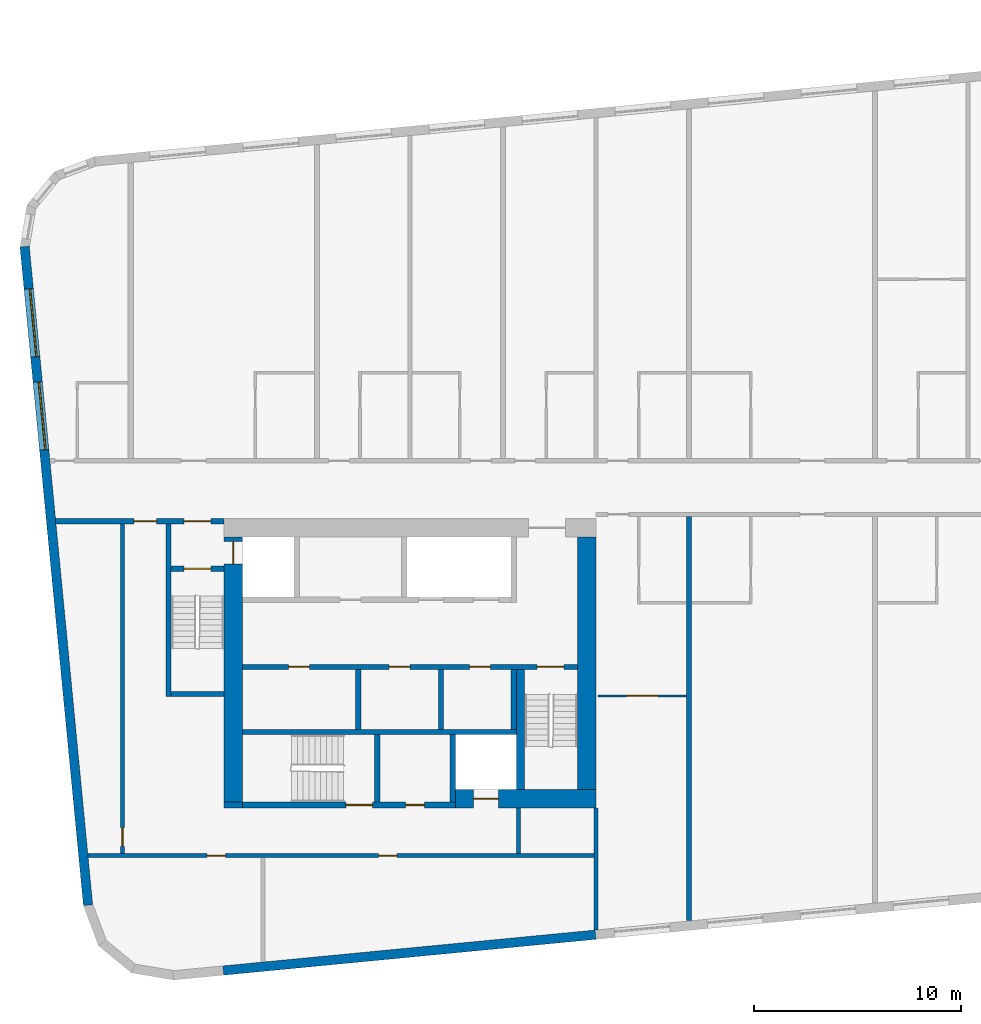
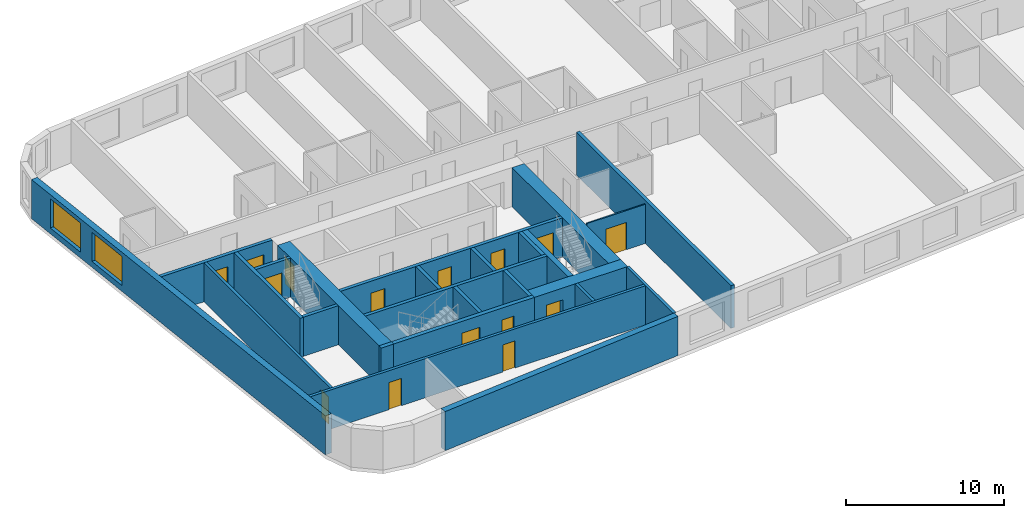
# One storey, part 2 of 11: 25 walls, 15 doors, 2 windows, 17 openings.
"""IFC4 building model written with IfcOpenShell, lengths in metres."""

from ifc_helpers import new_model, si_unit, direction, frame, frame_2d, origin, place, context, subcontext, project, spatial, rectangle, extrude, material, layer, layer_set, type_object, element, fill, save


model = new_model("IFC4")

# Units and contexts
model_context = context("Model", 3, precision=1e-05, world=origin(), true_north=direction((0.0, 1.0)))
body_context = subcontext(model_context, "Body", "Model", "MODEL_VIEW")
ifc_project = project(units=[si_unit("LENGTHUNIT", "METRE"), si_unit("AREAUNIT", "SQUARE_METRE"), si_unit("VOLUMEUNIT", "CUBIC_METRE"), si_unit("PLANEANGLEUNIT", "RADIAN"), si_unit("MASSUNIT", "GRAM", prefix="KILO")], contexts=[model_context])

# Site, building, storey
site_placement = place(None, origin())
site = spatial("IfcSite", under=ifc_project, at=site_placement, CompositionType="ELEMENT")
building_placement = place(site_placement, origin())
building = spatial("IfcBuilding", under=site, at=building_placement, Name="Kajstack Hotel Tower", CompositionType="ELEMENT")
storey_placement = place(building_placement, frame((0.0, 0.0, 291.60009765625)))
storey = spatial("IfcBuildingStorey", under=building, at=storey_placement, Name="L73", CompositionType="ELEMENT", Elevation=291.60009765625)

# Wall, opening, door
ifc_material_1 = material(Name="Concrete C60/75", Category="concrete")
ifc_layer_1 = layer(ifc_material_1, 0.89990234375)
ifc_layer_set_1 = layer_set([ifc_layer_1], Name="Core wall 900")
wall_type_1 = type_object("IfcWallType", Name="Core wall 900", PredefinedType="SHEAR", material=ifc_layer_set_1)
wall_1_placement = place(storey_placement, frame((-20.300048828125, -15.050048828125, 0.0), z_axis=(0.0, 0.0, 1.0), x_axis=(1.0, 0.0, 0.0)))
wall_1 = element("IfcWall", 1, at=wall_1_placement, inside=storey, type_object=wall_type_1, Name="Core wall W RS", PredefinedType="SHEAR", context=body_context, shape_type="SweptSolid", body=[
    extrude(rectangle(XDim=6.800048828125, YDim=0.89990234375, at=frame_2d((3.39990234375, 0.0))), origin(), (0.0, 0.0, 1.0), 3.02001953125),
])
opening_1_placement = place(wall_1_placement, frame((0.875, 0.0, 0.0)))
opening_1 = element("IfcOpeningElement", 2, at=opening_1_placement, cuts=wall_1, Name="Opening LD-SV1", PredefinedType="OPENING", context=body_context, shape_type="SweptSolid", body=[
    extrude(rectangle(XDim=1.199951171875, YDim=2.10009765625, at=frame_2d((0.60009765625, 1.050048828125))), frame((0.0, 0.4599609375, 0.0), z_axis=(0.0, -1.0, 0.0), x_axis=(1.0, 0.0, 0.0)), (0.0, 0.0, 1.0), 0.919921875),
])
ifc_material_2 = material(Name="Stainless steel", Category="steel")
door_type_1 = type_object("IfcDoorType", Name="Lift landing door 1200", OperationType="SLIDING_TO_LEFT", PredefinedType="DOOR", material=ifc_material_2)
door_1_placement = place(opening_1_placement, origin())
door_1 = element("IfcDoor", 3, at=door_1_placement, inside=storey, type_object=door_type_1, Name="Landing door SV1", OperationType="SLIDING_TO_LEFT", OverallHeight=2.10009765625, OverallWidth=1.199951171875, PredefinedType="DOOR", context=body_context, shape_type="SweptSolid", body=[
    extrude(rectangle(XDim=1.199951171875, YDim=2.10009765625, at=frame_2d((0.60009765625, 1.050048828125))), frame((0.0, 0.02490234375, 0.0), z_axis=(0.0, -1.0, 0.0), x_axis=(1.0, 0.0, 0.0)), (0.0, 0.0, 1.0), 0.050048828125),
])
fill(opening_1, door_1)

# Wall
wall_2_placement = place(storey_placement, frame((-31.5, -15.35009765625, 0.0), z_axis=(0.0, 0.0, 1.0), x_axis=(1.0, 0.0, 0.0)))
element("IfcWall", 4, at=wall_2_placement, inside=storey, type_object=wall_type_1, Name="Core wall W RSW", PredefinedType="SHEAR", context=body_context, shape_type="SweptSolid", body=[
    extrude(rectangle(XDim=0.89990234375, YDim=0.300048828125, at=frame_2d((0.449951171875, 0.0))), origin(), (0.0, 0.0, 1.0), 3.02001953125),
])

# Wall, opening, door
wall_3_placement = place(storey_placement, frame((-31.050048828125, -15.199951171875, 0.0), z_axis=(0.0, 0.0, 1.0), x_axis=(0.0, 1.0, 0.0)))
wall_3 = element("IfcWall", 5, at=wall_3_placement, inside=storey, type_object=wall_type_1, Name="Core wall W RW", PredefinedType="SHEAR", context=body_context, shape_type="SweptSolid", body=[
    extrude(rectangle(XDim=12.800048828125, YDim=0.89990234375, at=frame_2d((6.39990234375, 0.0))), origin(), (0.0, 0.0, 1.0), 3.02001953125),
])
opening_2_placement = place(wall_3_placement, frame((11.5, 0.0, 0.0)))
opening_2 = element("IfcOpeningElement", 6, at=opening_2_placement, cuts=wall_3, Name="Opening LD-FF1", PredefinedType="OPENING", context=body_context, shape_type="SweptSolid", body=[
    extrude(rectangle(XDim=1.10009765625, YDim=2.10009765625, at=frame_2d((0.550048828125, 1.050048828125))), frame((0.0, 0.4599609375, 0.0), z_axis=(0.0, -1.0, 0.0), x_axis=(1.0, 0.0, 0.0)), (0.0, 0.0, 1.0), 0.919921875),
])
door_type_2 = type_object("IfcDoorType", Name="Fire-fighting lift landing door 1100", OperationType="SLIDING_TO_LEFT", PredefinedType="DOOR", material=ifc_material_2)
door_2_placement = place(opening_2_placement, origin())
door_2 = element("IfcDoor", 7, at=door_2_placement, inside=storey, type_object=door_type_2, Name="Landing door FF1", OperationType="SLIDING_TO_RIGHT", OverallHeight=2.10009765625, OverallWidth=1.10009765625, PredefinedType="DOOR", context=body_context, shape_type="SweptSolid", body=[
    extrude(rectangle(XDim=1.10009765625, YDim=2.10009765625, at=frame_2d((0.550048828125, 1.050048828125))), frame((0.0, 0.02490234375, 0.0), z_axis=(0.0, -1.0, 0.0), x_axis=(1.0, 0.0, 0.0)), (0.0, 0.0, 1.0), 0.050048828125),
])
fill(opening_2, door_2)

# Walls
wall_4_placement = place(storey_placement, frame((-13.949951171875, -14.60009765625, 0.0), z_axis=(0.0, 0.0, 1.0), x_axis=(0.0, 1.0, 0.0)))
element("IfcWall", 8, at=wall_4_placement, inside=storey, type_object=wall_type_1, Name="Core wall W RE", PredefinedType="SHEAR", context=body_context, shape_type="SweptSolid", body=[
    extrude(rectangle(XDim=12.2001953125, YDim=0.89990234375, at=frame_2d((6.10009765625, 0.0))), origin(), (0.0, 0.0, 1.0), 3.02001953125),
])
ifc_material_3 = material(Name="Twin-frame gypsum board on steel studs, mineral wool", Category="steel")
ifc_layer_2 = layer(ifc_material_3, 0.199951171875)
ifc_layer_set_2 = layer_set([ifc_layer_2], Name="Demising wall 200")
wall_type_2 = type_object("IfcWallType", Name="Demising wall 200", PredefinedType="PARTITIONING", material=ifc_layer_set_2)
wall_5_placement = place(storey_placement, frame((-13.5, -21.39599609375, 0.0), z_axis=(0.0, 0.0, 1.0), x_axis=(0.0, 1.0, 0.0)))
element("IfcWall", 9, at=wall_5_placement, inside=storey, type_object=wall_type_2, Name="G-wall-L73-002", PredefinedType="PARTITIONING", context=body_context, shape_type="SweptSolid", body=[
    extrude(rectangle(XDim=5.89599609375, YDim=0.199951171875, at=frame_2d((2.947998046875, 0.0))), origin(), (0.0, 0.0, 1.0), 3.02001953125),
])
ifc_material_4 = material(Name="Concrete C40/50", Category="concrete")
ifc_layer_3 = layer(ifc_material_4, 0.449951171875)
ifc_layer_set_3 = layer_set([ifc_layer_3], Name="EW-CORE")
wall_type_3 = type_object("IfcWallType", Name="EW-CORE", PredefinedType="SOLIDWALL", material=ifc_layer_set_3)
wall_6_placement = place(storey_placement, frame((-31.521484375, -23.357177734375, 0.0), z_axis=(0.0, 0.0, 1.0), x_axis=(0.995396454615, 0.095843091245, 0.0)))
element("IfcWall", 10, at=wall_6_placement, inside=storey, type_object=wall_type_3, Name="E-wall-L73-04-01", PredefinedType="SOLIDWALL", context=body_context, shape_type="SweptSolid", body=[
    extrude(rectangle(XDim=18.083251953125, YDim=0.449951171875, at=frame_2d((9.04150390625, 0.0))), origin(), (0.0, 0.0, 1.0), 3.02001953125),
])

# Wall, openings, windows
ifc_material_5 = material(Name="Terracotta-faced brick masonry", Category="masonry")
ifc_layer_4 = layer(ifc_material_5, 0.449951171875)
ifc_layer_set_4 = layer_set([ifc_layer_4], Name="EW-TERRA")
wall_type_4 = type_object("IfcWallType", Name="EW-TERRA", PredefinedType="SOLIDWALL", material=ifc_layer_set_4)
wall_7_placement = place(storey_placement, frame((-41.13232421875, 11.657958984375, 0.0), z_axis=(0.0, 0.0, 1.0), x_axis=(0.095847749461, -0.995396006082, 0.0)))
wall_7 = element("IfcWall", 11, at=wall_7_placement, inside=storey, type_object=wall_type_4, Name="E-wall-L73-00-00", PredefinedType="SOLIDWALL", context=body_context, shape_type="SweptSolid", body=[
    extrude(rectangle(XDim=32.0, YDim=0.449951171875, at=frame_2d((16.0, 0.0))), origin(), (0.0, 0.0, 1.0), 3.02001953125),
])
opening_3_placement = place(wall_7_placement, frame((2.053466796875, 0.0, 0.449951171875)))
opening_3 = element("IfcOpeningElement", 12, at=opening_3_placement, cuts=wall_7, Name="Opening W2", PredefinedType="OPENING", context=body_context, shape_type="SweptSolid", body=[
    extrude(rectangle(XDim=3.300048828125, YDim=2.25, at=frame_2d((1.64990234375, 1.125))), frame((0.0, 0.23486328125, 0.0), z_axis=(0.0, -1.0, 0.0), x_axis=(1.0, 0.0, 0.0)), (0.0, 0.0, 1.0), 0.469970703125),
])
opening_4_placement = place(wall_7_placement, frame((6.57421875, 0.0, 0.449951171875)))
opening_4 = element("IfcOpeningElement", 13, at=opening_4_placement, cuts=wall_7, Name="Opening W2", PredefinedType="OPENING", context=body_context, shape_type="SweptSolid", body=[
    extrude(rectangle(XDim=3.300048828125, YDim=2.25, at=frame_2d((1.64990234375, 1.125))), frame((0.0, 0.23486328125, 0.0), z_axis=(0.0, -1.0, 0.0), x_axis=(1.0, 0.0, 0.0)), (0.0, 0.0, 1.0), 0.469970703125),
])
ifc_material_6 = material(Name="Timber-aluminium window, triple glazed", Category="wood")
window_type = type_object("IfcWindowType", Name="WG2", PartitioningType="SINGLE_PANEL", PredefinedType="WINDOW", material=ifc_material_6)
window_1_placement = place(opening_3_placement, origin())
window_1 = element("IfcWindow", 14, at=window_1_placement, inside=storey, type_object=window_type, Name="Window W2 L73-00", OverallHeight=2.25, OverallWidth=3.300048828125, PartitioningType="SINGLE_PANEL", PredefinedType="WINDOW", context=body_context, shape_type="SweptSolid", body=[
    extrude(rectangle(XDim=3.300048828125, YDim=2.25, at=frame_2d((1.64990234375, 1.125))), frame((0.0, 0.090087890625, 0.0), z_axis=(0.0, -1.0, 0.0), x_axis=(1.0, 0.0, 0.0)), (0.0, 0.0, 1.0), 0.06005859375),
])
fill(opening_3, window_1)
window_2_placement = place(opening_4_placement, origin())
window_2 = element("IfcWindow", 15, at=window_2_placement, inside=storey, type_object=window_type, Name="Window W2 L73-00", OverallHeight=2.25, OverallWidth=3.300048828125, PartitioningType="SINGLE_PANEL", PredefinedType="WINDOW", context=body_context, shape_type="SweptSolid", body=[
    extrude(rectangle(XDim=3.300048828125, YDim=2.25, at=frame_2d((1.64990234375, 1.125))), frame((0.0, 0.090087890625, 0.0), z_axis=(0.0, -1.0, 0.0), x_axis=(1.0, 0.0, 0.0)), (0.0, 0.0, 1.0), 0.06005859375),
])
fill(opening_4, window_2)

# Wall, opening, door
ifc_material_7 = material(Name="Gypsum board on steel studs", Category="steel")
ifc_layer_5 = layer(ifc_material_7, 0.10009765625)
ifc_layer_set_5 = layer_set([ifc_layer_5], Name="Partition 100")
wall_type_5 = type_object("IfcWallType", Name="Partition 100", PredefinedType="PARTITIONING", material=ifc_layer_set_5)
wall_8_placement = place(storey_placement, frame((-13.39990234375, -10.074951171875, 0.0), z_axis=(0.0, 0.0, 1.0), x_axis=(1.0, 0.0, 0.0)))
wall_8 = element("IfcWall", 16, at=wall_8_placement, inside=storey, type_object=wall_type_5, Name="G-wall-L73-031", PredefinedType="PARTITIONING", context=body_context, shape_type="SweptSolid", body=[
    extrude(rectangle(XDim=4.27490234375, YDim=0.10009765625, at=frame_2d((2.137451171875, 0.0))), origin(), (0.0, 0.0, 1.0), 3.02001953125),
])
opening_5_placement = place(wall_8_placement, frame((1.387939453125, 0.0, 0.0)))
opening_5 = element("IfcOpeningElement", 17, at=opening_5_placement, cuts=wall_8, Name="Opening 73024", PredefinedType="OPENING", context=body_context, shape_type="SweptSolid", body=[
    extrude(rectangle(XDim=1.5, YDim=2.10009765625, at=frame_2d((0.75, 1.050048828125))), frame((0.0, 0.06005859375, 0.0), z_axis=(0.0, -1.0, 0.0), x_axis=(1.0, 0.0, 0.0)), (0.0, 0.0, 1.0), 0.1201171875),
])
ifc_material_8 = material(Name="Painted timber door leaves, glazed panels", Category="wood")
door_type_3 = type_object("IfcDoorType", Name="Double door 1500", OperationType="SINGLE_SWING_LEFT", PredefinedType="DOOR", material=ifc_material_8)
door_3_placement = place(opening_5_placement, origin())
door_3 = element("IfcDoor", 18, at=door_3_placement, inside=storey, type_object=door_type_3, Name="G-door-L73-24", OperationType="SINGLE_SWING_RIGHT", OverallHeight=2.10009765625, OverallWidth=1.5, PredefinedType="DOOR", context=body_context, shape_type="SweptSolid", body=[
    extrude(rectangle(XDim=1.5, YDim=2.10009765625, at=frame_2d((0.75, 1.050048828125))), frame((0.0, 0.02490234375, 0.0), z_axis=(0.0, -1.0, 0.0), x_axis=(1.0, 0.0, 0.0)), (0.0, 0.0, 1.0), 0.050048828125),
])
fill(opening_5, door_3)

# Walls
ifc_layer_6 = layer(ifc_material_4, 0.25)
ifc_layer_set_6 = layer_set([ifc_layer_6], Name="RC cross wall 250 C40/50")
wall_type_6 = type_object("IfcWallType", Name="RC cross wall 250 C40/50", PredefinedType="SHEAR", material=ifc_layer_set_6)
wall_9_placement = place(storey_placement, frame((-9.0, -20.9404296875, 0.0), z_axis=(0.0, 0.0, 1.0), x_axis=(0.0, 1.0, 0.0)))
element("IfcWall", 19, at=wall_9_placement, inside=storey, type_object=wall_type_6, Name="S-wall-L73-04", PredefinedType="SHEAR", context=body_context, shape_type="SweptSolid", body=[
    extrude(rectangle(XDim=19.54052734375, YDim=0.25, at=frame_2d((9.770263671875, 0.0))), origin(), (0.0, 0.0, 1.0), 3.2998046875),
])
ifc_material_9 = material(Name="Concrete block masonry", Category="masonry")
ifc_layer_7 = layer(ifc_material_9, 0.25)
ifc_layer_set_7 = layer_set([ifc_layer_7], Name="Riser partition 250")
wall_type_7 = type_object("IfcWallType", Name="Riser partition 250", PredefinedType="PARTITIONING", material=ifc_layer_set_7)
for number, where, z_axis, x_axis, name in (
    (20, (-25.0, -11.699951171875, 0.0), (0.0, 0.0, 1.0), (0.0, 1.0, 0.0), "Partition W BF0"),
    (21, (-21.0, -11.699951171875, 0.0), (0.0, 0.0, 1.0), (0.0, 1.0, 0.0), "Partition W BF1"),
):
    element("IfcWall", number, at=place(storey_placement, frame(where, z_axis=z_axis, x_axis=x_axis)), inside=storey, type_object=wall_type_7, Name=name, PredefinedType="PARTITIONING", context=body_context, shape_type="SweptSolid", body=[
        extrude(rectangle(XDim=2.89990234375, YDim=0.25, at=frame_2d((1.449951171875, 0.0))), origin(), (0.0, 0.0, 1.0), 3.02001953125),
    ])

# Wall, openings, doors
ifc_material_10 = material(Name="Gypsum board on steel studs, mineral wool", Category="steel")
ifc_layer_8 = layer(ifc_material_10, 0.199951171875)
ifc_layer_set_8 = layer_set([ifc_layer_8], Name="Service partition 200")
wall_type_8 = type_object("IfcWallType", Name="Service partition 200", PredefinedType="PARTITIONING", material=ifc_layer_set_8)
wall_10_placement = place(storey_placement, frame((-39.627197265625, -1.625, 0.0), z_axis=(0.0, 0.0, 1.0), x_axis=(1.0, 0.0, 0.0)))
wall_10 = element("IfcWall", 22, at=wall_10_placement, inside=storey, type_object=wall_type_8, Name="Partition W SN", PredefinedType="PARTITIONING", context=body_context, shape_type="SweptSolid", body=[
    extrude(rectangle(XDim=8.127197265625, YDim=0.25, at=frame_2d((4.0634765625, 0.0))), origin(), (0.0, 0.0, 1.0), 3.02001953125),
])
opening_6_placement = place(wall_10_placement, frame((6.202392578125, 0.0, 0.0)))
opening_6 = element("IfcOpeningElement", 23, at=opening_6_placement, cuts=wall_10, Name="Opening 73W06", PredefinedType="OPENING", context=body_context, shape_type="SweptSolid", body=[
    extrude(rectangle(XDim=1.300048828125, YDim=2.10009765625, at=frame_2d((0.64990234375, 1.050048828125))), frame((0.0, 0.135009765625, 0.0), z_axis=(0.0, -1.0, 0.0), x_axis=(1.0, 0.0, 0.0)), (0.0, 0.0, 1.0), 0.27001953125),
])
opening_7_placement = place(wall_10_placement, frame((3.77734375, 0.0, 0.0)))
opening_7 = element("IfcOpeningElement", 24, at=opening_7_placement, cuts=wall_10, Name="Opening 73W08", PredefinedType="OPENING", context=body_context, shape_type="SweptSolid", body=[
    extrude(rectangle(XDim=1.10009765625, YDim=2.10009765625, at=frame_2d((0.550048828125, 1.050048828125))), frame((0.0, 0.135009765625, 0.0), z_axis=(0.0, -1.0, 0.0), x_axis=(1.0, 0.0, 0.0)), (0.0, 0.0, 1.0), 0.27001953125),
])
ifc_material_11 = material(Name="Steel leaf, fire-rated", Category="steel")
door_type_4 = type_object("IfcDoorType", Name="Fire lobby door 1300", OperationType="SINGLE_SWING_LEFT", PredefinedType="DOOR", material=ifc_material_11)
door_4_placement = place(opening_6_placement, origin())
door_4 = element("IfcDoor", 25, at=door_4_placement, inside=storey, type_object=door_type_4, Name="Door 73W06", OperationType="SINGLE_SWING_RIGHT", OverallHeight=2.10009765625, OverallWidth=1.300048828125, PredefinedType="DOOR", context=body_context, shape_type="SweptSolid", body=[
    extrude(rectangle(XDim=1.300048828125, YDim=2.10009765625, at=frame_2d((0.64990234375, 1.050048828125))), frame((0.0, 0.02490234375, 0.0), z_axis=(0.0, -1.0, 0.0), x_axis=(1.0, 0.0, 0.0)), (0.0, 0.0, 1.0), 0.050048828125),
])
fill(opening_6, door_4)
ifc_material_12 = material(Name="Timber leaf, fire-rated", Category="wood")
door_type_5 = type_object("IfcDoorType", Name="Service corridor door 1100", OperationType="SINGLE_SWING_LEFT", PredefinedType="DOOR", material=ifc_material_12)
door_5_placement = place(opening_7_placement, origin())
door_5 = element("IfcDoor", 26, at=door_5_placement, inside=storey, type_object=door_type_5, Name="Door 73W08", OperationType="SINGLE_SWING_RIGHT", OverallHeight=2.10009765625, OverallWidth=1.10009765625, PredefinedType="DOOR", context=body_context, shape_type="SweptSolid", body=[
    extrude(rectangle(XDim=1.10009765625, YDim=2.10009765625, at=frame_2d((0.550048828125, 1.050048828125))), frame((0.0, 0.02490234375, 0.0), z_axis=(0.0, -1.0, 0.0), x_axis=(1.0, 0.0, 0.0)), (0.0, 0.0, 1.0), 0.050048828125),
])
fill(opening_7, door_5)

# Wall
wall_11_placement = place(storey_placement, frame((-17.25, -17.699951171875, 0.0), z_axis=(0.0, 0.0, 1.0), x_axis=(0.0, 1.0, 0.0)))
element("IfcWall", 27, at=wall_11_placement, inside=storey, type_object=wall_type_8, Name="Partition W SCE", PredefinedType="PARTITIONING", context=body_context, shape_type="SweptSolid", body=[
    extrude(rectangle(XDim=2.199951171875, YDim=0.199951171875, at=frame_2d((1.10009765625, 0.0))), origin(), (0.0, 0.0, 1.0), 3.02001953125),
])

# Wall, opening, door
wall_12_placement = place(storey_placement, frame((-36.39990234375, -17.699951171875, 0.0), z_axis=(0.0, 0.0, 1.0), x_axis=(0.0, 1.0, 0.0)))
wall_12 = element("IfcWall", 28, at=wall_12_placement, inside=storey, type_object=wall_type_8, Name="Partition W WRE", PredefinedType="PARTITIONING", context=body_context, shape_type="SweptSolid", body=[
    extrude(rectangle(XDim=15.949951171875, YDim=0.199951171875, at=frame_2d((7.97509765625, 0.0))), origin(), (0.0, 0.0, 1.0), 3.02001953125),
])
opening_8_placement = place(wall_12_placement, frame((0.35009765625, 0.0, 0.0)))
opening_8 = element("IfcOpeningElement", 29, at=opening_8_placement, cuts=wall_12, Name="Opening 73W18", PredefinedType="OPENING", context=body_context, shape_type="SweptSolid", body=[
    extrude(rectangle(XDim=0.89990234375, YDim=2.10009765625, at=frame_2d((0.449951171875, 1.050048828125))), frame((0.0, 0.10986328125, 0.0), z_axis=(0.0, -1.0, 0.0), x_axis=(1.0, 0.0, 0.0)), (0.0, 0.0, 1.0), 0.219970703125),
])
door_type_6 = type_object("IfcDoorType", Name="Service door 900", OperationType="SINGLE_SWING_LEFT", PredefinedType="DOOR", material=ifc_material_12)
door_6_placement = place(opening_8_placement, origin())
door_6 = element("IfcDoor", 30, at=door_6_placement, inside=storey, type_object=door_type_6, Name="Door 73W18", OperationType="SINGLE_SWING_LEFT", OverallHeight=2.10009765625, OverallWidth=0.89990234375, PredefinedType="DOOR", context=body_context, shape_type="SweptSolid", body=[
    extrude(rectangle(XDim=0.89990234375, YDim=2.10009765625, at=frame_2d((0.449951171875, 1.050048828125))), frame((0.0, 0.02490234375, 0.0), z_axis=(0.0, -1.0, 0.0), x_axis=(1.0, 0.0, 0.0)), (0.0, 0.0, 1.0), 0.050048828125),
])
fill(opening_8, door_6)

# Wall, openings, doors
wall_13_placement = place(storey_placement, frame((-38.06982421875, -17.800048828125, 0.0), z_axis=(0.0, 0.0, 1.0), x_axis=(1.0, 0.0, 0.0)))
wall_13 = element("IfcWall", 31, at=wall_13_placement, inside=storey, type_object=wall_type_8, Name="Partition W SLN", PredefinedType="PARTITIONING", context=body_context, shape_type="SweptSolid", body=[
    extrude(rectangle(XDim=24.4697265625, YDim=0.199951171875, at=frame_2d((12.23486328125, 0.0))), origin(), (0.0, 0.0, 1.0), 3.02001953125),
])
opening_9_placement = place(wall_13_placement, frame((5.75732421875, 0.0, 0.0)))
opening_9 = element("IfcOpeningElement", 32, at=opening_9_placement, cuts=wall_13, Name="Opening 73W16", PredefinedType="OPENING", context=body_context, shape_type="SweptSolid", body=[
    extrude(rectangle(XDim=0.89990234375, YDim=2.10009765625, at=frame_2d((0.449951171875, 1.050048828125))), frame((0.0, 0.10986328125, 0.0), z_axis=(0.0, -1.0, 0.0), x_axis=(1.0, 0.0, 0.0)), (0.0, 0.0, 1.0), 0.219970703125),
])
opening_10_placement = place(wall_13_placement, frame((14.057373046875, 0.0, 0.0)))
opening_10 = element("IfcOpeningElement", 33, at=opening_10_placement, cuts=wall_13, Name="Opening 73W17", PredefinedType="OPENING", context=body_context, shape_type="SweptSolid", body=[
    extrude(rectangle(XDim=0.89990234375, YDim=2.10009765625, at=frame_2d((0.449951171875, 1.050048828125))), frame((0.0, 0.10986328125, 0.0), z_axis=(0.0, -1.0, 0.0), x_axis=(1.0, 0.0, 0.0)), (0.0, 0.0, 1.0), 0.219970703125),
])
door_7_placement = place(opening_9_placement, origin())
door_7 = element("IfcDoor", 34, at=door_7_placement, inside=storey, type_object=door_type_6, Name="Door 73W16", OperationType="SINGLE_SWING_RIGHT", OverallHeight=2.10009765625, OverallWidth=0.89990234375, PredefinedType="DOOR", context=body_context, shape_type="SweptSolid", body=[
    extrude(rectangle(XDim=0.89990234375, YDim=2.10009765625, at=frame_2d((0.449951171875, 1.050048828125))), frame((0.0, 0.02490234375, 0.0), z_axis=(0.0, -1.0, 0.0), x_axis=(1.0, 0.0, 0.0)), (0.0, 0.0, 1.0), 0.050048828125),
])
fill(opening_9, door_7)
door_8_placement = place(opening_10_placement, origin())
door_8 = element("IfcDoor", 35, at=door_8_placement, inside=storey, type_object=door_type_6, Name="Door 73W17", OperationType="SINGLE_SWING_RIGHT", OverallHeight=2.10009765625, OverallWidth=0.89990234375, PredefinedType="DOOR", context=body_context, shape_type="SweptSolid", body=[
    extrude(rectangle(XDim=0.89990234375, YDim=2.10009765625, at=frame_2d((0.449951171875, 1.050048828125))), frame((0.0, 0.02490234375, 0.0), z_axis=(0.0, -1.0, 0.0), x_axis=(1.0, 0.0, 0.0)), (0.0, 0.0, 1.0), 0.050048828125),
])
fill(opening_10, door_8)

ifc_material_13 = material(Name="Concrete C50/60", Category="concrete")
ifc_layer_9 = layer(ifc_material_13, 0.25)
ifc_layer_set_9 = layer_set([ifc_layer_9], Name="Shaft wall 250")
wall_type_9 = type_object("IfcWallType", Name="Shaft wall 250", PredefinedType="SHEAR", material=ifc_layer_set_9)
wall_14_placement = place(storey_placement, frame((-30.60009765625, -15.35009765625, 0.0), z_axis=(0.0, 0.0, 1.0), x_axis=(1.0, 0.0, 0.0)))
wall_14 = element("IfcWall", 36, at=wall_14_placement, inside=storey, type_object=wall_type_9, Name="Core wall W RSS", PredefinedType="SHEAR", context=body_context, shape_type="SweptSolid", body=[
    extrude(rectangle(XDim=10.300048828125, YDim=0.300048828125, at=frame_2d((5.14990234375, 0.0))), origin(), (0.0, 0.0, 1.0), 3.02001953125),
])
opening_11_placement = place(wall_14_placement, frame((5.0, 0.0, 0.0)))
opening_11 = element("IfcOpeningElement", 37, at=opening_11_placement, cuts=wall_14, Name="Opening 73W10", PredefinedType="OPENING", context=body_context, shape_type="SweptSolid", body=[
    extrude(rectangle(XDim=1.300048828125, YDim=2.10009765625, at=frame_2d((0.64990234375, 1.050048828125))), frame((0.0, 0.159912109375, 0.0), z_axis=(0.0, -1.0, 0.0), x_axis=(1.0, 0.0, 0.0)), (0.0, 0.0, 1.0), 0.320068359375),
])
opening_12_placement = place(wall_14_placement, frame((7.89990234375, 0.0, 0.0)))
opening_12 = element("IfcOpeningElement", 38, at=opening_12_placement, cuts=wall_14, Name="Opening 73W11", PredefinedType="OPENING", context=body_context, shape_type="SweptSolid", body=[
    extrude(rectangle(XDim=0.89990234375, YDim=2.10009765625, at=frame_2d((0.449951171875, 1.050048828125))), frame((0.0, 0.159912109375, 0.0), z_axis=(0.0, -1.0, 0.0), x_axis=(1.0, 0.0, 0.0)), (0.0, 0.0, 1.0), 0.320068359375),
])
door_9_placement = place(opening_12_placement, origin())
door_9 = element("IfcDoor", 39, at=door_9_placement, inside=storey, type_object=door_type_6, Name="Door 73W11", OperationType="SINGLE_SWING_LEFT", OverallHeight=2.10009765625, OverallWidth=0.89990234375, PredefinedType="DOOR", context=body_context, shape_type="SweptSolid", body=[
    extrude(rectangle(XDim=0.89990234375, YDim=2.10009765625, at=frame_2d((0.449951171875, 1.050048828125))), frame((0.0, 0.02490234375, 0.0), z_axis=(0.0, -1.0, 0.0), x_axis=(1.0, 0.0, 0.0)), (0.0, 0.0, 1.0), 0.050048828125),
])
fill(opening_12, door_9)
door_type_7 = type_object("IfcDoorType", Name="Stair door 1300", OperationType="SINGLE_SWING_LEFT", PredefinedType="DOOR", material=ifc_material_11)
door_10_placement = place(opening_11_placement, origin())
door_10 = element("IfcDoor", 40, at=door_10_placement, inside=storey, type_object=door_type_7, Name="Door 73W10", OperationType="SINGLE_SWING_RIGHT", OverallHeight=2.10009765625, OverallWidth=1.300048828125, PredefinedType="DOOR", context=body_context, shape_type="SweptSolid", body=[
    extrude(rectangle(XDim=1.300048828125, YDim=2.10009765625, at=frame_2d((0.64990234375, 1.050048828125))), frame((0.0, 0.02490234375, 0.0), z_axis=(0.0, -1.0, 0.0), x_axis=(1.0, 0.0, 0.0)), (0.0, 0.0, 1.0), 0.050048828125),
])
fill(opening_11, door_10)

wall_15_placement = place(storey_placement, frame((-30.60009765625, -8.675048828125, 0.0), z_axis=(0.0, 0.0, 1.0), x_axis=(1.0, 0.0, 0.0)))
wall_15 = element("IfcWall", 41, at=wall_15_placement, inside=storey, type_object=wall_type_9, Name="Core wall W FB", PredefinedType="SHEAR", context=body_context, shape_type="SweptSolid", body=[
    extrude(rectangle(XDim=16.2001953125, YDim=0.25, at=frame_2d((8.10009765625, 0.0))), origin(), (0.0, 0.0, 1.0), 3.02001953125),
])
opening_13_placement = place(wall_15_placement, frame((14.25, 0.0, 0.0)))
opening_13 = element("IfcOpeningElement", 42, at=opening_13_placement, cuts=wall_15, Name="Opening 73W09", PredefinedType="OPENING", context=body_context, shape_type="SweptSolid", body=[
    extrude(rectangle(XDim=1.300048828125, YDim=2.10009765625, at=frame_2d((0.64990234375, 1.050048828125))), frame((0.0, 0.135009765625, 0.0), z_axis=(0.0, -1.0, 0.0), x_axis=(1.0, 0.0, 0.0)), (0.0, 0.0, 1.0), 0.27001953125),
])
opening_14_placement = place(wall_15_placement, frame((2.237548828125, 0.0, 0.0)))
opening_14 = element("IfcOpeningElement", 43, at=opening_14_placement, cuts=wall_15, Name="Opening 73W12", PredefinedType="OPENING", context=body_context, shape_type="SweptSolid", body=[
    extrude(rectangle(XDim=1.0, YDim=2.10009765625, at=frame_2d((0.5, 1.050048828125))), frame((0.0, 0.135009765625, 0.0), z_axis=(0.0, -1.0, 0.0), x_axis=(1.0, 0.0, 0.0)), (0.0, 0.0, 1.0), 0.27001953125),
])
opening_15_placement = place(wall_15_placement, frame((7.10009765625, 0.0, 0.0)))
opening_15 = element("IfcOpeningElement", 44, at=opening_15_placement, cuts=wall_15, Name="Opening 73W13", PredefinedType="OPENING", context=body_context, shape_type="SweptSolid", body=[
    extrude(rectangle(XDim=1.0, YDim=2.10009765625, at=frame_2d((0.5, 1.050048828125))), frame((0.0, 0.135009765625, 0.0), z_axis=(0.0, -1.0, 0.0), x_axis=(1.0, 0.0, 0.0)), (0.0, 0.0, 1.0), 0.27001953125),
])
opening_16_placement = place(wall_15_placement, frame((10.987548828125, 0.0, 0.0)))
opening_16 = element("IfcOpeningElement", 45, at=opening_16_placement, cuts=wall_15, Name="Opening 73W14", PredefinedType="OPENING", context=body_context, shape_type="SweptSolid", body=[
    extrude(rectangle(XDim=1.0, YDim=2.10009765625, at=frame_2d((0.5, 1.050048828125))), frame((0.0, 0.135009765625, 0.0), z_axis=(0.0, -1.0, 0.0), x_axis=(1.0, 0.0, 0.0)), (0.0, 0.0, 1.0), 0.27001953125),
])
door_type_8 = type_object("IfcDoorType", Name="Service room door 1000", OperationType="SINGLE_SWING_LEFT", PredefinedType="DOOR", material=ifc_material_12)
door_11_placement = place(opening_14_placement, origin())
door_11 = element("IfcDoor", 46, at=door_11_placement, inside=storey, type_object=door_type_8, Name="Door 73W12", OperationType="SINGLE_SWING_RIGHT", OverallHeight=2.10009765625, OverallWidth=1.0, PredefinedType="DOOR", context=body_context, shape_type="SweptSolid", body=[
    extrude(rectangle(XDim=1.0, YDim=2.10009765625, at=frame_2d((0.5, 1.050048828125))), frame((0.0, 0.02490234375, 0.0), z_axis=(0.0, -1.0, 0.0), x_axis=(1.0, 0.0, 0.0)), (0.0, 0.0, 1.0), 0.050048828125),
])
fill(opening_14, door_11)
door_12_placement = place(opening_15_placement, origin())
door_12 = element("IfcDoor", 47, at=door_12_placement, inside=storey, type_object=door_type_8, Name="Door 73W13", OperationType="SINGLE_SWING_RIGHT", OverallHeight=2.10009765625, OverallWidth=1.0, PredefinedType="DOOR", context=body_context, shape_type="SweptSolid", body=[
    extrude(rectangle(XDim=1.0, YDim=2.10009765625, at=frame_2d((0.5, 1.050048828125))), frame((0.0, 0.02490234375, 0.0), z_axis=(0.0, -1.0, 0.0), x_axis=(1.0, 0.0, 0.0)), (0.0, 0.0, 1.0), 0.050048828125),
])
fill(opening_15, door_12)
door_13_placement = place(opening_16_placement, origin())
door_13 = element("IfcDoor", 48, at=door_13_placement, inside=storey, type_object=door_type_8, Name="Door 73W14", OperationType="SINGLE_SWING_RIGHT", OverallHeight=2.10009765625, OverallWidth=1.0, PredefinedType="DOOR", context=body_context, shape_type="SweptSolid", body=[
    extrude(rectangle(XDim=1.0, YDim=2.10009765625, at=frame_2d((0.5, 1.050048828125))), frame((0.0, 0.02490234375, 0.0), z_axis=(0.0, -1.0, 0.0), x_axis=(1.0, 0.0, 0.0)), (0.0, 0.0, 1.0), 0.050048828125),
])
fill(opening_16, door_13)
door_14_placement = place(opening_13_placement, origin())
door_14 = element("IfcDoor", 49, at=door_14_placement, inside=storey, type_object=door_type_7, Name="Door 73W09", OperationType="SINGLE_SWING_RIGHT", OverallHeight=2.10009765625, OverallWidth=1.300048828125, PredefinedType="DOOR", context=body_context, shape_type="SweptSolid", body=[
    extrude(rectangle(XDim=1.300048828125, YDim=2.10009765625, at=frame_2d((0.64990234375, 1.050048828125))), frame((0.0, 0.02490234375, 0.0), z_axis=(0.0, -1.0, 0.0), x_axis=(1.0, 0.0, 0.0)), (0.0, 0.0, 1.0), 0.050048828125),
])
fill(opening_13, door_14)

# Walls
wall_16_placement = place(storey_placement, frame((-30.60009765625, -11.824951171875, 0.0), z_axis=(0.0, 0.0, 1.0), x_axis=(1.0, 0.0, 0.0)))
element("IfcWall", 50, at=wall_16_placement, inside=storey, type_object=wall_type_9, Name="Core wall W RB", PredefinedType="SHEAR", context=body_context, shape_type="SweptSolid", body=[
    extrude(rectangle(XDim=13.25, YDim=0.25, at=frame_2d((6.625, 0.0))), origin(), (0.0, 0.0, 1.0), 3.02001953125),
])
wall_17_placement = place(storey_placement, frame((-17.47509765625, -11.699951171875, 0.0), z_axis=(0.0, 0.0, 1.0), x_axis=(0.0, 1.0, 0.0)))
element("IfcWall", 51, at=wall_17_placement, inside=storey, type_object=wall_type_9, Name="Core wall W BE", PredefinedType="SHEAR", context=body_context, shape_type="SweptSolid", body=[
    extrude(rectangle(XDim=2.89990234375, YDim=0.25, at=frame_2d((1.449951171875, 0.0))), origin(), (0.0, 0.0, 1.0), 3.02001953125),
])
wall_18_placement = place(storey_placement, frame((-20.425048828125, -15.199951171875, 0.0), z_axis=(0.0, 0.0, 1.0), x_axis=(0.0, 1.0, 0.0)))
element("IfcWall", 52, at=wall_18_placement, inside=storey, type_object=wall_type_9, Name="Core wall W SVW", PredefinedType="SHEAR", context=body_context, shape_type="SweptSolid", body=[
    extrude(rectangle(XDim=3.25, YDim=0.25, at=frame_2d((1.625, 0.0))), origin(), (0.0, 0.0, 1.0), 3.02001953125),
])

# Wall, opening, door
ifc_layer_10 = layer(ifc_material_4, 0.25)
ifc_layer_set_10 = layer_set([ifc_layer_10], Name="Stair enclosure wall 250")
wall_type_10 = type_object("IfcWallType", Name="Stair enclosure wall 250", PredefinedType="SHEAR", material=ifc_layer_set_10)
wall_19_placement = place(storey_placement, frame((-34.050048828125, -3.925048828125, 0.0), z_axis=(0.0, 0.0, 1.0), x_axis=(1.0, 0.0, 0.0)))
wall_19 = element("IfcWall", 53, at=wall_19_placement, inside=storey, type_object=wall_type_10, Name="Core wall W W1N", PredefinedType="SHEAR", context=body_context, shape_type="SweptSolid", body=[
    extrude(rectangle(XDim=2.550048828125, YDim=0.25, at=frame_2d((1.27490234375, 0.0))), origin(), (0.0, 0.0, 1.0), 3.02001953125),
])
opening_17_placement = place(wall_19_placement, frame((0.625, 0.0, 0.0)))
opening_17 = element("IfcOpeningElement", 54, at=opening_17_placement, cuts=wall_19, Name="Opening 73W07", PredefinedType="OPENING", context=body_context, shape_type="SweptSolid", body=[
    extrude(rectangle(XDim=1.300048828125, YDim=2.10009765625, at=frame_2d((0.64990234375, 1.050048828125))), frame((0.0, 0.135009765625, 0.0), z_axis=(0.0, -1.0, 0.0), x_axis=(1.0, 0.0, 0.0)), (0.0, 0.0, 1.0), 0.27001953125),
])
door_15_placement = place(opening_17_placement, origin())
door_15 = element("IfcDoor", 55, at=door_15_placement, inside=storey, type_object=door_type_7, Name="Door 73W07", OperationType="SINGLE_SWING_RIGHT", OverallHeight=2.10009765625, OverallWidth=1.300048828125, PredefinedType="DOOR", context=body_context, shape_type="SweptSolid", body=[
    extrude(rectangle(XDim=1.300048828125, YDim=2.10009765625, at=frame_2d((0.64990234375, 1.050048828125))), frame((0.0, 0.02490234375, 0.0), z_axis=(0.0, -1.0, 0.0), x_axis=(1.0, 0.0, 0.0)), (0.0, 0.0, 1.0), 0.050048828125),
])
fill(opening_17, door_15)

# Walls
wall_20_placement = place(storey_placement, frame((-34.175048828125, -10.10009765625, 0.0), z_axis=(0.0, 0.0, 1.0), x_axis=(0.0, 1.0, 0.0)))
element("IfcWall", 56, at=wall_20_placement, inside=storey, type_object=wall_type_10, Name="Core wall W W1W", PredefinedType="SHEAR", context=body_context, shape_type="SweptSolid", body=[
    extrude(rectangle(XDim=8.35009765625, YDim=0.25, at=frame_2d((4.175048828125, 0.0))), origin(), (0.0, 0.0, 1.0), 3.02001953125),
])
wall_21_placement = place(storey_placement, frame((-34.050048828125, -9.97509765625, 0.0), z_axis=(0.0, 0.0, 1.0), x_axis=(1.0, 0.0, 0.0)))
element("IfcWall", 57, at=wall_21_placement, inside=storey, type_object=wall_type_10, Name="Core wall W W1S", PredefinedType="SHEAR", context=body_context, shape_type="SweptSolid", body=[
    extrude(rectangle(XDim=2.550048828125, YDim=0.25, at=frame_2d((1.27490234375, 0.0))), origin(), (0.0, 0.0, 1.0), 3.02001953125),
])
ifc_layer_11 = layer(ifc_material_13, 0.35009765625)
ifc_layer_set_11 = layer_set([ifc_layer_11], Name="Stair enclosure wall 350")
wall_type_11 = type_object("IfcWallType", Name="Stair enclosure wall 350", PredefinedType="SHEAR", material=ifc_layer_set_11)
wall_22_placement = place(storey_placement, frame((-24.074951171875, -15.199951171875, 0.0), z_axis=(0.0, 0.0, 1.0), x_axis=(0.0, 1.0, 0.0)))
element("IfcWall", 58, at=wall_22_placement, inside=storey, type_object=wall_type_11, Name="Core wall W W3E", PredefinedType="SHEAR", context=body_context, shape_type="SweptSolid", body=[
    extrude(rectangle(XDim=3.25, YDim=0.25, at=frame_2d((1.625, 0.0))), origin(), (0.0, 0.0, 1.0), 3.02001953125),
])
ifc_layer_12 = layer(ifc_material_13, 0.39990234375)
ifc_layer_set_12 = layer_set([ifc_layer_12], Name="Stair wall 400")
wall_type_12 = type_object("IfcWallType", Name="Stair wall 400", PredefinedType="SHEAR", material=ifc_layer_set_12)
wall_23_placement = place(storey_placement, frame((-17.14990234375, -14.60009765625, 0.0), z_axis=(0.0, 0.0, 1.0), x_axis=(0.0, 1.0, 0.0)))
element("IfcWall", 59, at=wall_23_placement, inside=storey, type_object=wall_type_12, Name="Core wall W WW2", PredefinedType="SHEAR", context=body_context, shape_type="SweptSolid", body=[
    extrude(rectangle(XDim=5.800048828125, YDim=0.39990234375, at=frame_2d((2.89990234375, 0.0))), origin(), (0.0, 0.0, 1.0), 3.02001953125),
])

save(model, "model.ifc")
